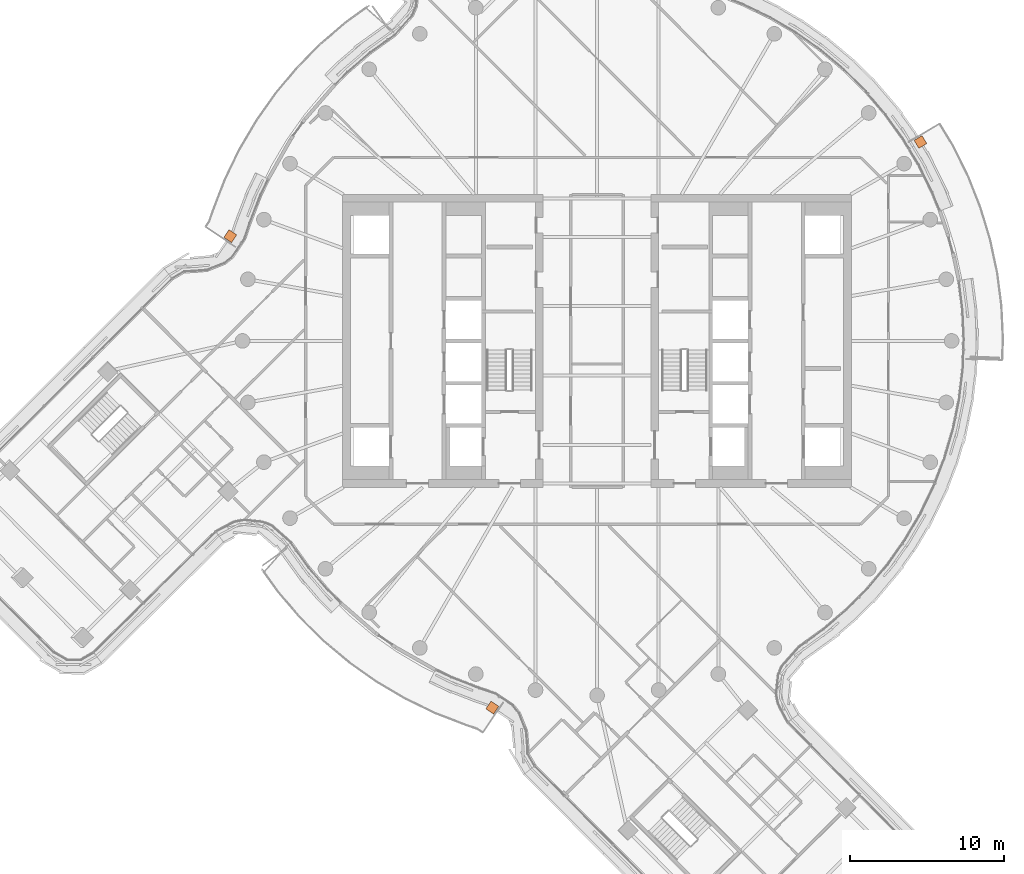
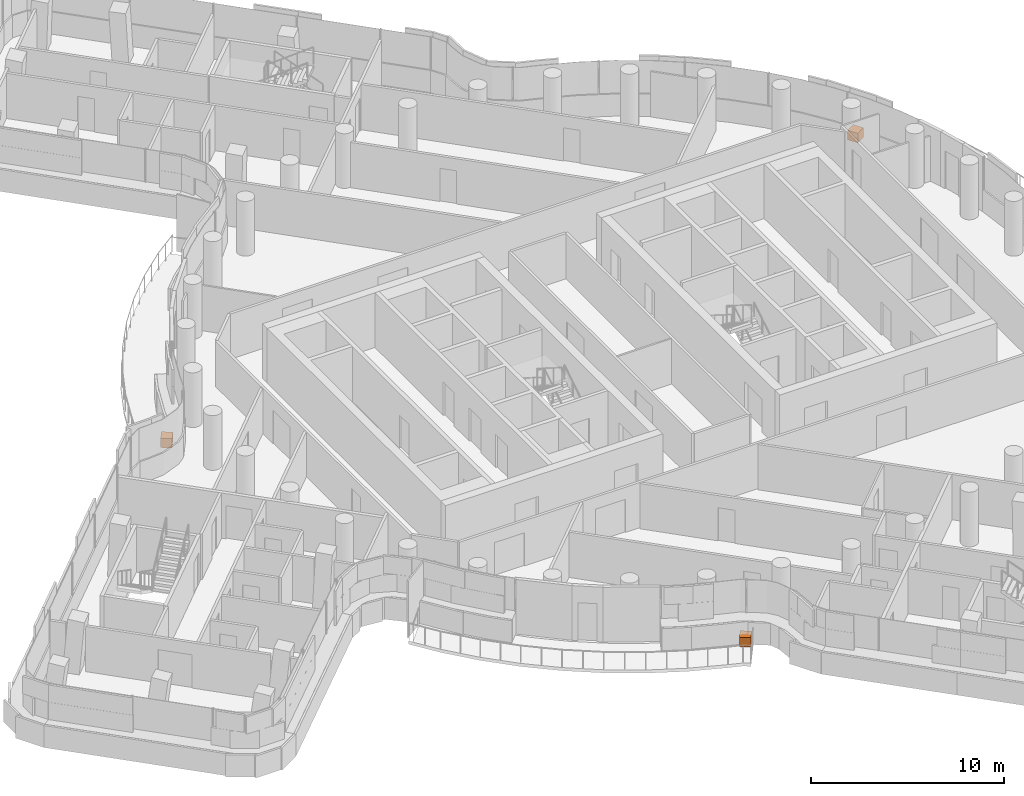
# One storey, part 31 of 31: 3 proxies.
"""IFC4 building model written with IfcOpenShell, lengths in metres."""

from ifc_helpers import new_model, si_unit, direction, frame, origin, origin_2d, place, context, subcontext, project, spatial, rectangle, extrude, material, type_object, element, save


model = new_model("IFC4")

# Units and contexts
model_context = context("Model", 3, precision=1e-05, world=origin(), true_north=direction((0.0, 1.0)))
body_context = subcontext(model_context, "Body", "Model", "MODEL_VIEW")
ifc_project = project(units=[si_unit("LENGTHUNIT", "METRE"), si_unit("AREAUNIT", "SQUARE_METRE"), si_unit("VOLUMEUNIT", "CUBIC_METRE"), si_unit("PLANEANGLEUNIT", "RADIAN"), si_unit("MASSUNIT", "GRAM", prefix="KILO")], contexts=[model_context])

# Site, building, storey
site_placement = place(None, origin())
site = spatial("IfcSite", under=ifc_project, at=site_placement, CompositionType="ELEMENT")
building_placement = place(site_placement, origin())
building = spatial("IfcBuilding", under=site, at=building_placement, Name="Tamarind Cross Interchange Tower", CompositionType="ELEMENT")
storey_placement = place(building_placement, frame((0.0, 0.0, 196.89990234375)))
storey = spatial("IfcBuildingStorey", under=building, at=storey_placement, Name="L49", CompositionType="ELEMENT", Elevation=196.89990234375)

# Proxies
ifc_material = material(Name="Concrete C30", Category="concrete")
building_element_proxy_type = type_object("IfcBuildingElementProxyType", Name="Planter", PredefinedType="USERDEFINED", material=ifc_material)
proxy_1_placement = place(storey_placement, origin())
element("IfcBuildingElementProxy", 1, at=proxy_1_placement, inside=storey, type_object=building_element_proxy_type, Name="PLT-L49-BAL02", ObjectType="Planter", PredefinedType="USERDEFINED", context=body_context, shape_type="SweptSolid", body=[
    extrude(rectangle(XDim=0.60009765625, YDim=0.60009765625, at=origin_2d()), frame((20.97705078125, 12.900634765625, 0.0), z_axis=(0.0, 0.0, 1.0), x_axis=(-0.515577308909, 0.856843065292, 0.0)), (0.0, 0.0, 1.0), 0.60009765625),
])
proxy_2_placement = place(storey_placement, origin())
element("IfcBuildingElementProxy", 2, at=proxy_2_placement, inside=storey, type_object=building_element_proxy_type, Name="PLT-L49-BAL06", ObjectType="Planter", PredefinedType="USERDEFINED", context=body_context, shape_type="SweptSolid", body=[
    extrude(rectangle(XDim=0.60009765625, YDim=0.60009765625, at=origin_2d()), frame((-23.789306640625, 6.79541015625, 0.0), z_axis=(0.0, 0.0, 1.0), x_axis=(-0.556702458632, -0.830711967262, 0.0)), (0.0, 0.0, 1.0), 0.60009765625),
])
proxy_3_placement = place(storey_placement, origin())
element("IfcBuildingElementProxy", 3, at=proxy_3_placement, inside=storey, type_object=building_element_proxy_type, Name="PLT-L49-BAL10", ObjectType="Planter", PredefinedType="USERDEFINED", context=body_context, shape_type="SweptSolid", body=[
    extrude(rectangle(XDim=0.60009765625, YDim=0.60009765625, at=origin_2d()), frame((-6.79541015625, -23.789306640625, 0.0), z_axis=(0.0, 0.0, 1.0), x_axis=(0.830711967262, -0.556702458632, 0.0)), (0.0, 0.0, 1.0), 0.60009765625),
])

save(model, "model.ifc")
